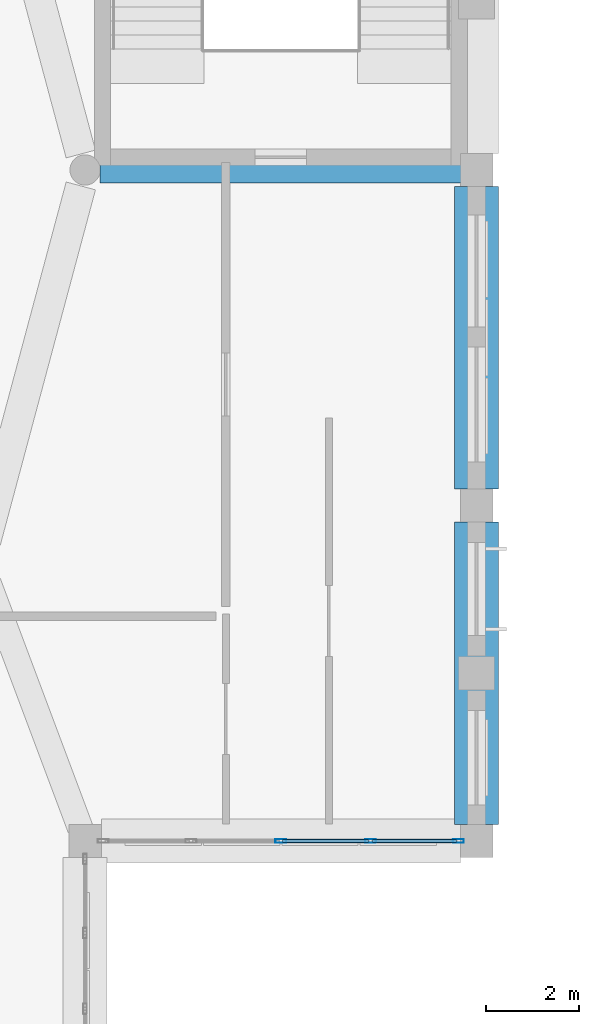
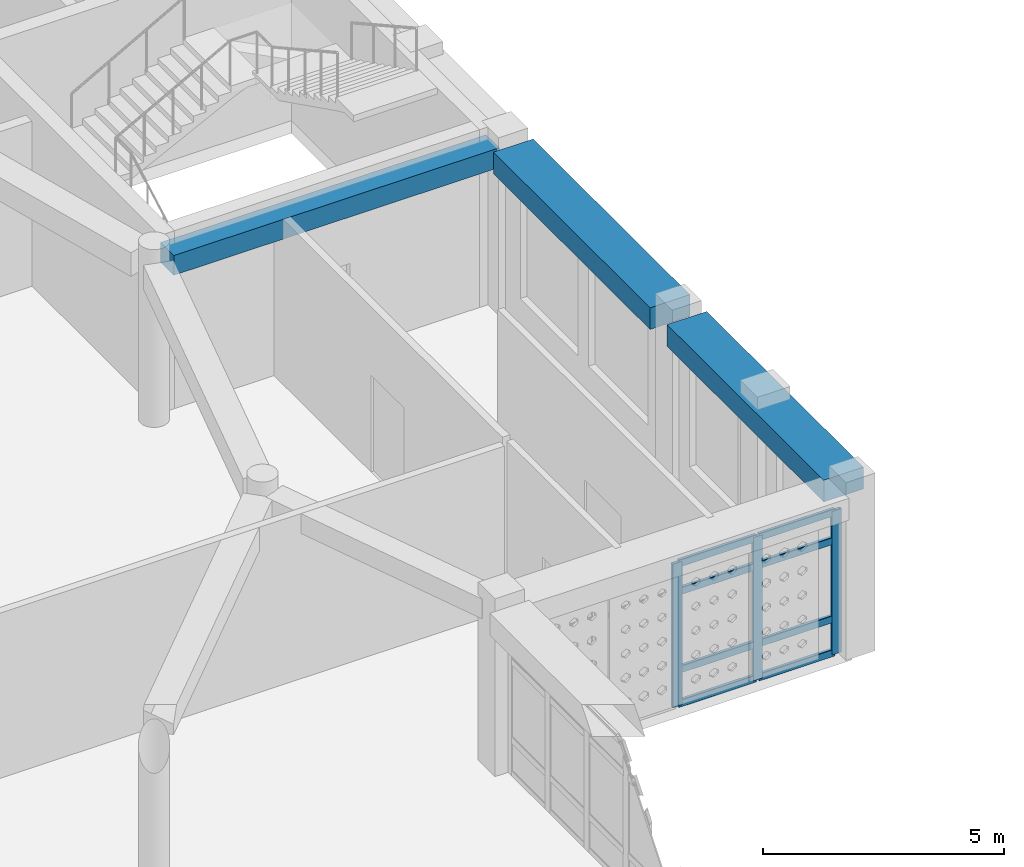
# One storey, part 20 of 79: 11 members, 3 beams, 1 element without a shape of its own.
"""IFC4 building model written with IfcOpenShell, lengths in metres."""

from ifc_helpers import new_model, si_unit, derived_unit, direction, frame, origin, origin_2d, place, context, subcontext, project, spatial, rectangle, hollow_rectangle, extrude, material, material_profile, profile_set, type_object, element, aggregate, save


model = new_model("IFC4")

# Units and contexts
model_context = context("Model", 3, precision=1e-05, world=origin(), true_north=direction((0.0, 1.0)))
body_context = subcontext(model_context, "Body", "Model", "MODEL_VIEW")
ifc_project = project(units=[si_unit("LENGTHUNIT", "METRE"), si_unit("AREAUNIT", "SQUARE_METRE"), si_unit("VOLUMEUNIT", "CUBIC_METRE"), si_unit("PLANEANGLEUNIT", "RADIAN"), si_unit("MASSUNIT", "GRAM", prefix="KILO"), derived_unit("THERMALTRANSMITTANCEUNIT", [(si_unit("POWERUNIT", "WATT"), 1), (si_unit("LENGTHUNIT", "METRE"), -2), (si_unit("THERMODYNAMICTEMPERATUREUNIT", "KELVIN"), -1)])], contexts=[model_context])

# Site, building, storey
site_placement = place(None, origin())
site = spatial("IfcSite", under=ifc_project, at=site_placement, CompositionType="ELEMENT")
building_placement = place(site_placement, origin())
building = spatial("IfcBuilding", under=site, at=building_placement, Name="Veybourne Emporium", CompositionType="ELEMENT")
storey_placement = place(building_placement, frame((0.0, 0.0, 18.89990234375)))
storey = spatial("IfcBuildingStorey", under=building, at=storey_placement, Name="L04", CompositionType="ELEMENT", Elevation=18.89990234375)

# Curtain wall, members
ifc_material_1 = material(Name="Patinated Architectural Bronze", Category="bronze")
curtain_wall_type = type_object("IfcCurtainWallType", Name="CWSystem_CWS-07", PredefinedType="NOTDEFINED", material=ifc_material_1)
curtain_wall_placement = place(storey_placement, origin())
curtain_wall = element("IfcCurtainWall", 1, at=curtain_wall_placement, inside=storey, type_object=curtain_wall_type, Name="L04 bronze glazed curtain wall CWS-07 (048)", PredefinedType="NOTDEFINED")
ifc_material_profile_1 = material_profile(ifc_material_1, hollow_rectangle(XDim=0.077880859375, YDim=0.235107421875, WallThickness=0.0048828125, InnerFilletRadius=0.007568359375, OuterFilletRadius=0.012451171875, at=origin_2d()), Name="CWM 78x235x5")
ifc_profile_set_1 = profile_set([ifc_material_profile_1], Name="Patinated Architectural Bronze")
member_type_1 = type_object("IfcMemberType", Name="CWMullion_CW-M3", PredefinedType="MULLION", material=ifc_profile_set_1)
member_1_placement = place(storey_placement, frame((100.410888671875, 36.0, 0.0), z_axis=(0.0, 0.0, 1.0), x_axis=(0.0, -1.0, 0.0)))
member_1 = element("IfcMember", 2, at=member_1_placement, type_object=member_type_1, Name="CWS-07 mullion 1", PredefinedType="MULLION", context=body_context, shape_type="SweptSolid", body=[
    extrude(hollow_rectangle(XDim=0.077880859375, YDim=0.235107421875, WallThickness=0.0048828125, InnerFilletRadius=0.007568359375, OuterFilletRadius=0.012451171875, at=origin_2d()), origin(), (0.0, 0.0, 1.0), 3.630126953125),
])
member_2_placement = place(storey_placement, frame((98.52490234375, 36.0, 0.0), z_axis=(0.0, 0.0, 1.0), x_axis=(0.0, -1.0, 0.0)))
member_2 = element("IfcMember", 3, at=member_2_placement, type_object=member_type_1, Name="CWS-07 mullion 2", PredefinedType="MULLION", context=body_context, shape_type="SweptSolid", body=[
    extrude(hollow_rectangle(XDim=0.077880859375, YDim=0.235107421875, WallThickness=0.0048828125, InnerFilletRadius=0.007568359375, OuterFilletRadius=0.012451171875, at=origin_2d()), origin(), (0.0, 0.0, 1.0), 3.630126953125),
])
member_3_placement = place(storey_placement, frame((96.60009765625, 36.0, 0.0), z_axis=(0.0, 0.0, 1.0), x_axis=(0.0, -1.0, 0.0)))
member_3 = element("IfcMember", 4, at=member_3_placement, type_object=member_type_1, Name="CWS-07 mullion 3", PredefinedType="MULLION", context=body_context, shape_type="SweptSolid", body=[
    extrude(hollow_rectangle(XDim=0.077880859375, YDim=0.235107421875, WallThickness=0.0048828125, InnerFilletRadius=0.007568359375, OuterFilletRadius=0.012451171875, at=origin_2d()), origin(), (0.0, 0.0, 1.0), 3.630126953125),
])
ifc_material_profile_2 = material_profile(ifc_material_1, hollow_rectangle(XDim=0.077880859375, YDim=0.18505859375, WallThickness=0.0048828125, InnerFilletRadius=0.007568359375, OuterFilletRadius=0.012451171875, at=origin_2d()), Name="CWT 78x185x5")
ifc_profile_set_2 = profile_set([ifc_material_profile_2], Name="Patinated Architectural Bronze")
member_type_2 = type_object("IfcMemberType", Name="CWTransom_CW-T3", PredefinedType="NOTDEFINED", material=ifc_profile_set_2)
member_4_placement = place(storey_placement, frame((100.3720703125, 36.0, 0.0390625), z_axis=(-1.0, 0.0, 0.0), x_axis=(0.0, -1.0, 0.0)))
member_4 = element("IfcMember", 5, at=member_4_placement, type_object=member_type_2, Name="CWS-07 transom 1.1", ObjectType="TRANSOM", PredefinedType="USERDEFINED", context=body_context, shape_type="SweptSolid", body=[
    extrude(hollow_rectangle(XDim=0.077880859375, YDim=0.18505859375, WallThickness=0.0048828125, InnerFilletRadius=0.007568359375, OuterFilletRadius=0.012451171875, at=origin_2d()), origin(), (0.0, 0.0, 1.0), 1.80810546875),
])
member_5_placement = place(storey_placement, frame((100.3720703125, 36.0, 0.900146484375), z_axis=(-1.0, 0.0, 0.0), x_axis=(0.0, -1.0, 0.0)))
member_5 = element("IfcMember", 6, at=member_5_placement, type_object=member_type_2, Name="CWS-07 transom 1.2", ObjectType="TRANSOM", PredefinedType="USERDEFINED", context=body_context, shape_type="SweptSolid", body=[
    extrude(hollow_rectangle(XDim=0.077880859375, YDim=0.18505859375, WallThickness=0.0048828125, InnerFilletRadius=0.007568359375, OuterFilletRadius=0.012451171875, at=origin_2d()), origin(), (0.0, 0.0, 1.0), 1.80810546875),
])
member_6_placement = place(storey_placement, frame((100.3720703125, 36.0, 2.880126953125), z_axis=(-1.0, 0.0, 0.0), x_axis=(0.0, -1.0, 0.0)))
member_6 = element("IfcMember", 7, at=member_6_placement, type_object=member_type_2, Name="CWS-07 transom 1.3", ObjectType="TRANSOM", PredefinedType="USERDEFINED", context=body_context, shape_type="SweptSolid", body=[
    extrude(hollow_rectangle(XDim=0.077880859375, YDim=0.18505859375, WallThickness=0.0048828125, InnerFilletRadius=0.007568359375, OuterFilletRadius=0.012451171875, at=origin_2d()), origin(), (0.0, 0.0, 1.0), 1.80810546875),
])
member_7_placement = place(storey_placement, frame((100.3720703125, 36.0, 3.591064453125), z_axis=(-1.0, 0.0, 0.0), x_axis=(0.0, -1.0, 0.0)))
member_7 = element("IfcMember", 8, at=member_7_placement, type_object=member_type_2, Name="CWS-07 transom 1.4", ObjectType="TRANSOM", PredefinedType="USERDEFINED", context=body_context, shape_type="SweptSolid", body=[
    extrude(hollow_rectangle(XDim=0.077880859375, YDim=0.18505859375, WallThickness=0.0048828125, InnerFilletRadius=0.007568359375, OuterFilletRadius=0.012451171875, at=origin_2d()), origin(), (0.0, 0.0, 1.0), 1.80810546875),
])
member_8_placement = place(storey_placement, frame((98.486083984375, 36.0, 0.0390625), z_axis=(-1.0, 0.0, 0.0), x_axis=(0.0, -1.0, 0.0)))
member_8 = element("IfcMember", 9, at=member_8_placement, type_object=member_type_2, Name="CWS-07 transom 2.1", ObjectType="TRANSOM", PredefinedType="USERDEFINED", context=body_context, shape_type="SweptSolid", body=[
    extrude(hollow_rectangle(XDim=0.077880859375, YDim=0.18505859375, WallThickness=0.0048828125, InnerFilletRadius=0.007568359375, OuterFilletRadius=0.012451171875, at=origin_2d()), origin(), (0.0, 0.0, 1.0), 1.84716796875),
])
member_9_placement = place(storey_placement, frame((98.486083984375, 36.0, 0.900146484375), z_axis=(-1.0, 0.0, 0.0), x_axis=(0.0, -1.0, 0.0)))
member_9 = element("IfcMember", 10, at=member_9_placement, type_object=member_type_2, Name="CWS-07 transom 2.2", ObjectType="TRANSOM", PredefinedType="USERDEFINED", context=body_context, shape_type="SweptSolid", body=[
    extrude(hollow_rectangle(XDim=0.077880859375, YDim=0.18505859375, WallThickness=0.0048828125, InnerFilletRadius=0.007568359375, OuterFilletRadius=0.012451171875, at=origin_2d()), origin(), (0.0, 0.0, 1.0), 1.84716796875),
])
member_10_placement = place(storey_placement, frame((98.486083984375, 36.0, 2.880126953125), z_axis=(-1.0, 0.0, 0.0), x_axis=(0.0, -1.0, 0.0)))
member_10 = element("IfcMember", 11, at=member_10_placement, type_object=member_type_2, Name="CWS-07 transom 2.3", ObjectType="TRANSOM", PredefinedType="USERDEFINED", context=body_context, shape_type="SweptSolid", body=[
    extrude(hollow_rectangle(XDim=0.077880859375, YDim=0.18505859375, WallThickness=0.0048828125, InnerFilletRadius=0.007568359375, OuterFilletRadius=0.012451171875, at=origin_2d()), origin(), (0.0, 0.0, 1.0), 1.84716796875),
])
member_11_placement = place(storey_placement, frame((98.486083984375, 36.0, 3.591064453125), z_axis=(-1.0, 0.0, 0.0), x_axis=(0.0, -1.0, 0.0)))
member_11 = element("IfcMember", 12, at=member_11_placement, type_object=member_type_2, Name="CWS-07 transom 2.4", ObjectType="TRANSOM", PredefinedType="USERDEFINED", context=body_context, shape_type="SweptSolid", body=[
    extrude(hollow_rectangle(XDim=0.077880859375, YDim=0.18505859375, WallThickness=0.0048828125, InnerFilletRadius=0.007568359375, OuterFilletRadius=0.012451171875, at=origin_2d()), origin(), (0.0, 0.0, 1.0), 1.84716796875),
])
aggregate(curtain_wall, [member_1, member_2, member_3, member_4, member_5, member_6, member_7, member_8, member_9, member_10, member_11])

# Beams
ifc_material_2 = material(Name="Concrete C32/40", Category="concrete")
ifc_material_profile_3 = material_profile(ifc_material_2, rectangle(XDim=0.949951171875, YDim=0.550048828125, at=origin_2d()), Name="RC 950x550")
ifc_profile_set_3 = profile_set([ifc_material_profile_3], Name="Concrete C32/40")
beam_type_1 = type_object("IfcBeamType", Name="RCBeam_EB-01", PredefinedType="SPANDREL", material=ifc_profile_set_3)
for number, where, z_axis, x_axis, name in (
    (13, (100.800048828125, 36.35009765625, 3.905029296875), (0.0, 1.0, 0.0), (-1.0, 0.0, 0.0), "L04 Y-grid beam EB-01 (12,5)"),
    (14, (100.800048828125, 43.550048828125, 3.905029296875), (0.0, 1.0, 0.0), (-1.0, 0.0, 0.0), "L04 Y-grid beam EB-01 (12,6)"),
):
    element("IfcBeam", number, at=place(storey_placement, frame(where, z_axis=z_axis, x_axis=x_axis)), inside=storey, type_object=beam_type_1, Name=name, PredefinedType="SPANDREL", context=body_context, shape_type="SweptSolid", body=[
        extrude(rectangle(XDim=0.949951171875, YDim=0.550048828125, at=origin_2d()), origin(), (0.0, 0.0, 1.0), 6.5),
    ])
ifc_material_profile_4 = material_profile(ifc_material_2, rectangle(XDim=0.550048828125, YDim=0.5, at=origin_2d()), Name="RC 550x500")
ifc_profile_set_4 = profile_set([ifc_material_profile_4], Name="Concrete C32/40")
beam_type_2 = type_object("IfcBeamType", Name="RCBeam_TB-01", PredefinedType="BEAM", material=ifc_profile_set_4)
beam_placement = place(storey_placement, frame((92.715087890625, 50.39990234375, 3.93017578125), z_axis=(1.0, 0.0, 0.0), x_axis=(0.0, 1.0, 0.0)))
element("IfcBeam", 15, at=beam_placement, inside=storey, type_object=beam_type_2, Name="Atrium radial tie beam L04-01", PredefinedType="BEAM", context=body_context, shape_type="SweptSolid", body=[
    extrude(rectangle(XDim=0.550048828125, YDim=0.5, at=origin_2d()), origin(), (0.0, 0.0, 1.0), 7.794921875),
])

save(model, "model.ifc")
